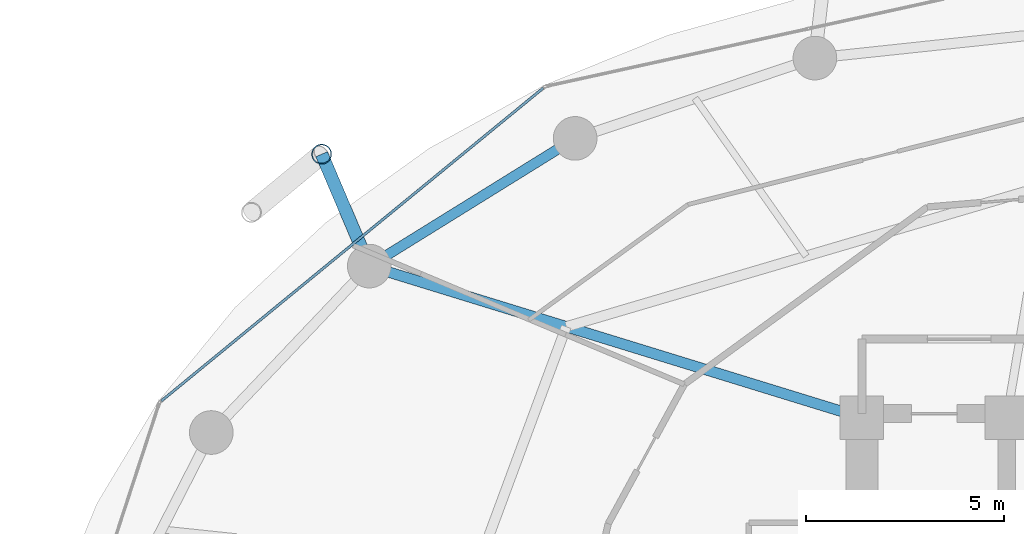
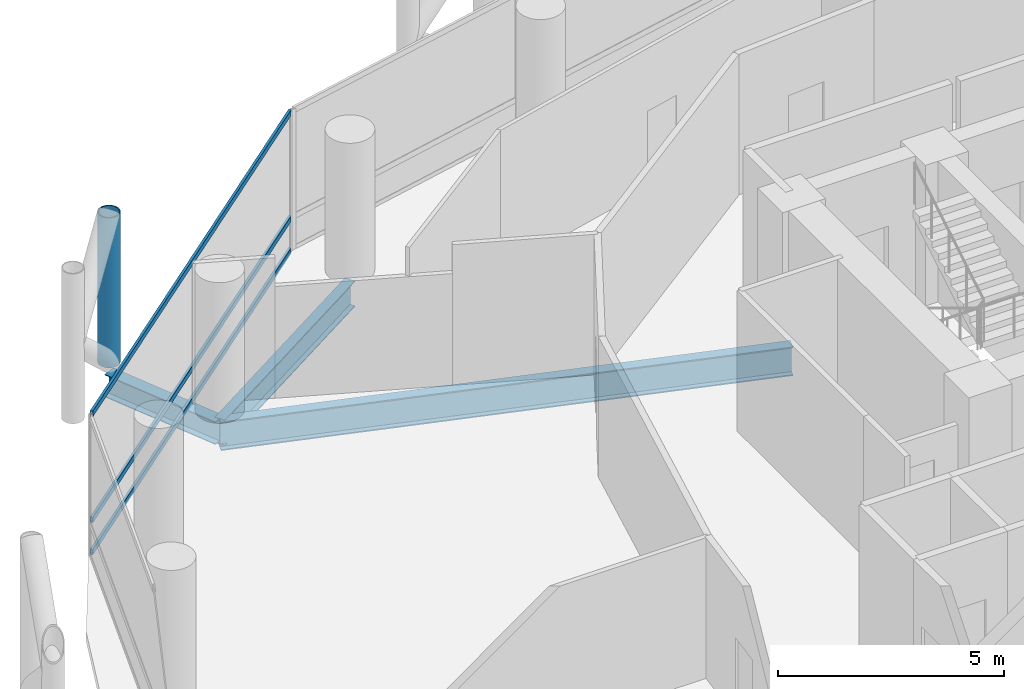
# One storey, part 14 of 26: 4 members, 3 beams, 1 element without a shape of its own.
"""IFC4 building model written with IfcOpenShell, lengths in metres."""

from ifc_helpers import new_model, si_unit, direction, frame, origin, origin_2d, place, context, subcontext, project, spatial, hollow_rectangle, hollow_circle, i_section, extrude, material, layer, layer_set, material_profile, profile_set, type_object, element, aggregate, save


model = new_model("IFC4")

# Units and contexts
model_context = context("Model", 3, precision=1e-05, world=origin(), true_north=direction((0.0, 1.0)))
body_context = subcontext(model_context, "Body", "Model", "MODEL_VIEW")
ifc_project = project(units=[si_unit("LENGTHUNIT", "METRE"), si_unit("AREAUNIT", "SQUARE_METRE"), si_unit("VOLUMEUNIT", "CUBIC_METRE"), si_unit("PLANEANGLEUNIT", "RADIAN"), si_unit("MASSUNIT", "GRAM", prefix="KILO")], contexts=[model_context])

# Site, building, storey
site_placement = place(None, origin())
site = spatial("IfcSite", under=ifc_project, at=site_placement, CompositionType="ELEMENT")
building_placement = place(site_placement, origin())
building = spatial("IfcBuilding", under=site, at=building_placement, Name="Nuhasar Tower", CompositionType="ELEMENT")
storey_placement = place(building_placement, frame((0.0, 0.0, 53.39990234375)))
storey = spatial("IfcBuildingStorey", under=building, at=storey_placement, Name="L12", CompositionType="ELEMENT", Elevation=53.39990234375)

# Beams
ifc_material_1 = material(Name="Steel S355", Category="steel")
ifc_material_profile_1 = material_profile(ifc_material_1, i_section(OverallWidth=0.26611328125, OverallDepth=0.779052734375, WebThickness=0.0166015625, FlangeThickness=0.030029296875, at=origin_2d()), Name="W30X148")
ifc_profile_set_1 = profile_set([ifc_material_profile_1], Name="Steel S355")
beam_type_1 = type_object("IfcBeamType", Name="BM-RAD-W30X148", PredefinedType="BEAM", material=ifc_profile_set_1)
beam_1_placement = place(storey_placement, frame((33.699951171875, 37.300048828125, -0.64892578125), z_axis=(-0.955789576103, 0.294051502653, 0.0), x_axis=(-0.294051502653, -0.955789576103, 0.0)))
element("IfcBeam", 1, at=beam_1_placement, inside=storey, type_object=beam_type_1, Name="L12 Radial Floor Girder 07", PredefinedType="BEAM", context=body_context, shape_type="SweptSolid", body=[
    extrude(i_section(OverallWidth=0.26611328125, OverallDepth=0.779052734375, WebThickness=0.0166015625, FlangeThickness=0.030029296875, at=origin_2d()), origin(), (0.0, 0.0, 1.0), 12.987060546875),
])
ifc_material_profile_2 = material_profile(ifc_material_1, i_section(OverallWidth=0.256103515625, OverallDepth=0.693115234375, WebThickness=0.014404296875, FlangeThickness=0.023681640625, at=origin_2d()), Name="W27X114")
ifc_profile_set_2 = profile_set([ifc_material_profile_2], Name="Steel S355")
beam_type_2 = type_object("IfcBeamType", Name="BM-RING-W27X114", PredefinedType="SPANDREL", material=ifc_profile_set_2)
beam_2_placement = place(storey_placement, frame((26.47509765625, 44.3369140625, -0.60595703125), z_axis=(-0.849795216549, -0.527112976439, 0.0), x_axis=(0.527112976439, -0.849795216549, 0.0)))
element("IfcBeam", 2, at=beam_2_placement, inside=storey, type_object=beam_type_2, Name="L12 Perimeter Ring Spandrel 09", PredefinedType="SPANDREL", context=body_context, shape_type="SweptSolid", body=[
    extrude(i_section(OverallWidth=0.256103515625, OverallDepth=0.693115234375, WebThickness=0.014404296875, FlangeThickness=0.023681640625, at=origin_2d()), origin(), (0.0, 0.0, 1.0), 6.10498046875),
])
ifc_material_profile_3 = material_profile(ifc_material_1, i_section(OverallWidth=0.323974609375, OverallDepth=0.611083984375, WebThickness=0.0126953125, FlangeThickness=0.01904296875, at=origin_2d()), Name="W24X104")
ifc_profile_set_3 = profile_set([ifc_material_profile_3], Name="Steel S355")
beam_type_3 = type_object("IfcBeamType", Name="BM-TIE-W24X104", PredefinedType="BEAM", material=ifc_profile_set_3)
beam_3_placement = place(storey_placement, frame((21.287109375, 41.118896484375, -0.56591796875), z_axis=(-0.391601084021, 0.920135093882, 0.0), x_axis=(-0.920135093882, -0.391601084021, 0.0)))
element("IfcBeam", 3, at=beam_3_placement, inside=storey, type_object=beam_type_3, Name="L12 Exoskeleton Node Tie Beam 05", PredefinedType="BEAM", context=body_context, shape_type="SweptSolid", body=[
    extrude(i_section(OverallWidth=0.323974609375, OverallDepth=0.611083984375, WebThickness=0.0126953125, FlangeThickness=0.01904296875, at=origin_2d()), origin(), (0.0, 0.0, 1.0), 3.06494140625),
])

# Curtain wall, members
ifc_material_2 = material(Name="Aluminium 6063-T6", Category="aluminium")
ifc_layer = layer(ifc_material_2, 0.199951171875)
ifc_layer_set = layer_set([ifc_layer], Name="Aluminium 6063-T6")
curtain_wall_type = type_object("IfcCurtainWallType", Name="CW-Z1-OFF", PredefinedType="NOTDEFINED", material=ifc_layer_set)
curtain_wall_placement = place(storey_placement, origin())
curtain_wall = element("IfcCurtainWall", 4, at=curtain_wall_placement, inside=storey, type_object=curtain_wall_type, Name="L12 Unitised Curtain Wall 05", PredefinedType="NOTDEFINED")
ifc_material_profile_4 = material_profile(ifc_material_2, hollow_rectangle(XDim=0.06494140625, YDim=0.14990234375, WallThickness=0.00439453125, at=origin_2d()), Name="CWT-2")
ifc_profile_set_4 = profile_set([ifc_material_profile_4], Name="Aluminium 6063-T6")
member_type_1 = type_object("IfcMemberType", Name="CW-TRN-S2", PredefinedType="USERDEFINED", material=ifc_profile_set_4)
member_1_placement = place(storey_placement, frame((25.669677734375, 45.603759765625, 0.03271484375), z_axis=(-0.773540851599, -0.633746440548, 0.0), x_axis=(0.633746440548, -0.773540851599, 0.0)))
member_1 = element("IfcMember", 5, at=member_1_placement, type_object=member_type_1, Name="CW-Z1 transom 1.1", ObjectType="TRANSOM", PredefinedType="USERDEFINED", context=body_context, shape_type="SweptSolid", body=[
    extrude(hollow_rectangle(XDim=0.06494140625, YDim=0.14990234375, WallThickness=0.00439453125, at=origin_2d()), origin(), (0.0, 0.0, 1.0), 12.43798828125),
])
member_2_placement = place(storey_placement, frame((25.669677734375, 45.603759765625, 0.900146484375), z_axis=(-0.773540851599, -0.633746440548, 0.0), x_axis=(0.633746440548, -0.773540851599, 0.0)))
member_2 = element("IfcMember", 6, at=member_2_placement, type_object=member_type_1, Name="CW-Z1 transom 1.2", ObjectType="TRANSOM", PredefinedType="USERDEFINED", context=body_context, shape_type="SweptSolid", body=[
    extrude(hollow_rectangle(XDim=0.06494140625, YDim=0.14990234375, WallThickness=0.00439453125, at=origin_2d()), origin(), (0.0, 0.0, 1.0), 12.43798828125),
])
member_3_placement = place(storey_placement, frame((25.669677734375, 45.603759765625, 3.767578125), z_axis=(-0.773540851599, -0.633746440548, 0.0), x_axis=(0.633746440548, -0.773540851599, 0.0)))
member_3 = element("IfcMember", 7, at=member_3_placement, type_object=member_type_1, Name="CW-Z1 transom 1.3", ObjectType="TRANSOM", PredefinedType="USERDEFINED", context=body_context, shape_type="SweptSolid", body=[
    extrude(hollow_rectangle(XDim=0.06494140625, YDim=0.14990234375, WallThickness=0.00439453125, at=origin_2d()), origin(), (0.0, 0.0, 1.0), 12.43798828125),
])
aggregate(curtain_wall, [member_1, member_2, member_3])

# Member
ifc_material_3 = material(Name="Steel S460", Category="steel")
ifc_material_profile_5 = material_profile(ifc_material_3, hollow_circle(Radius=0.25390625, WallThickness=0.025390625, at=origin_2d()), Name="HSS508X25.4")
ifc_profile_set_5 = profile_set([ifc_material_profile_5], Name="Steel S460")
member_type_2 = type_object("IfcMemberType", Name="EXO-BRONZE-508", PredefinedType="BRACE", material=ifc_profile_set_5)
member_4_placement = place(storey_placement, frame((20.0869140625, 43.93896484375, 0.0), z_axis=(0.0, 0.0, 1.0), x_axis=(1.0, 0.0, 0.0)))
element("IfcMember", 8, at=member_4_placement, inside=storey, type_object=member_type_2, Name="L12 Exoskeleton Chord Column EC-05A", PredefinedType="BRACE", context=body_context, shape_type="SweptSolid", body=[
    extrude(hollow_circle(Radius=0.25390625, WallThickness=0.025390625, at=origin_2d()), origin(), (0.0, 0.0, 1.0), 4.050048828125),
])

save(model, "model.ifc")
